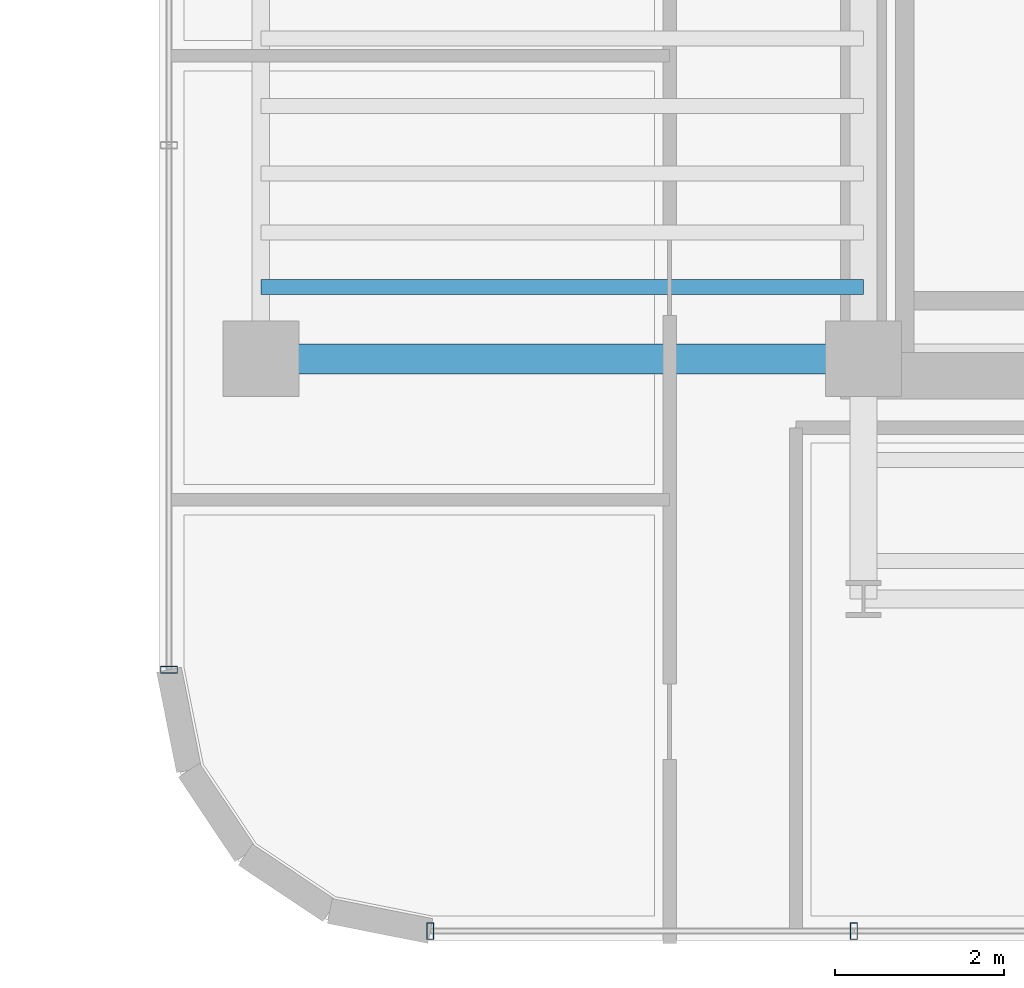
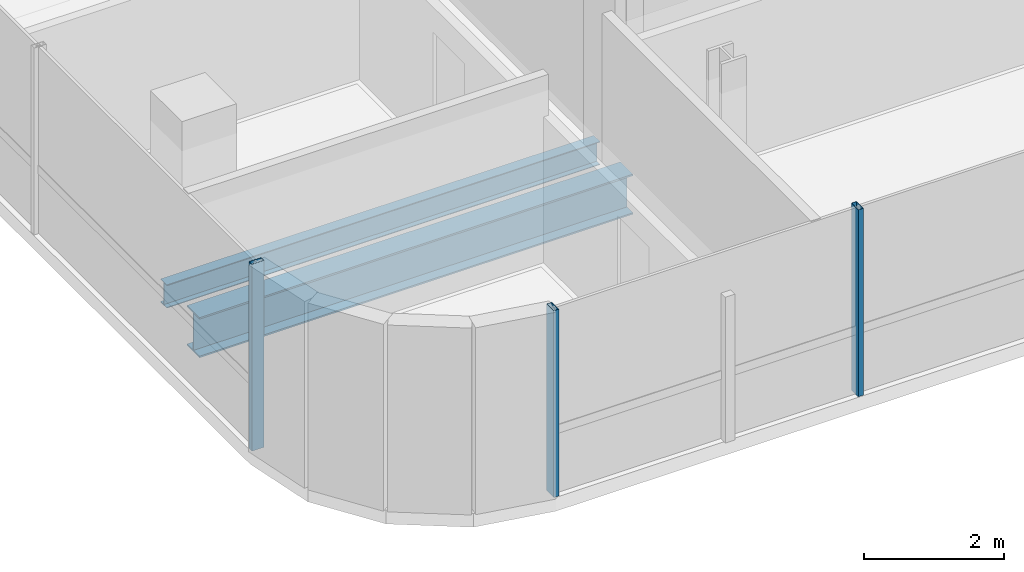
# One storey, part 2 of 21: 3 members, 2 beams, 2 elements without a shape of their own.
"""IFC4 building model written with IfcOpenShell, lengths in metres."""

from ifc_helpers import new_model, si_unit, direction, frame, origin, origin_2d, place, context, subcontext, project, spatial, hollow_rectangle, i_section, extrude, source, transform, mapped, material, material_profile, profile_set, type_object, element, aggregate, save


model = new_model("IFC4")

# Units and contexts
model_context = context("Model", 3, precision=1e-05, world=origin(), true_north=direction((0.0, 1.0)))
body_context = subcontext(model_context, "Body", "Model", "MODEL_VIEW")
ifc_project = project(units=[si_unit("LENGTHUNIT", "METRE"), si_unit("AREAUNIT", "SQUARE_METRE"), si_unit("VOLUMEUNIT", "CUBIC_METRE"), si_unit("PLANEANGLEUNIT", "RADIAN"), si_unit("MASSUNIT", "GRAM", prefix="KILO")], contexts=[model_context])

# Site, building, storey
site_placement = place(None, origin())
site = spatial("IfcSite", under=ifc_project, at=site_placement, CompositionType="ELEMENT")
building_placement = place(site_placement, origin())
building = spatial("IfcBuilding", under=site, at=building_placement, Name="Valdorenza Pilgrim Sanctuary Tower", CompositionType="ELEMENT")
storey_placement = place(building_placement, frame((0.0, 0.0, 219.5)))
storey = spatial("IfcBuildingStorey", under=building, at=storey_placement, Name="L56", CompositionType="ELEMENT", Elevation=219.5)

# Beams
ifc_material_1 = material(Name="Steel ASTM A992 Grade 50", Category="steel")
ifc_material_profile_1 = material_profile(ifc_material_1, i_section(OverallWidth=0.35595703125, OverallDepth=0.700927734375, WebThickness=0.016845703125, FlangeThickness=0.02734375, at=origin_2d()), Name="W27X161")
ifc_profile_set_1 = profile_set([ifc_material_profile_1], Name="Steel ASTM A992 Grade 50")
beam_type_1 = type_object("IfcBeamType", Name="STR-BM-GRD-W27", PredefinedType="BEAM", material=ifc_profile_set_1)
shared_shape_1 = source(origin(), body_context, "Body", "SweptSolid", [
    extrude(i_section(OverallWidth=0.35595703125, OverallDepth=0.700927734375, WebThickness=0.016845703125, FlangeThickness=0.02734375, at=origin_2d()), origin(), (0.0, 0.0, 1.0), 7.150146484375),
])
beam_1_placement = place(storey_placement, frame((-29.800048828125, -10.60009765625, -0.590576171875), z_axis=(1.0, 0.0, 0.0), x_axis=(0.0, 1.0, 0.0)))
element("IfcBeam", 1, at=beam_1_placement, inside=storey, type_object=beam_type_1, Name="L56 Floor Girder WA-XW-S1", PredefinedType="BEAM", context=body_context, shape_type="MappedRepresentation", body=[
    mapped(shared_shape_1, transform((0.0, 0.0, 0.0), x_axis=(1.0, 0.0, 0.0), y_axis=(0.0, 1.0, 0.0), z_axis=(0.0, 0.0, 1.0), scale=1.0)),
])
ifc_material_profile_2 = material_profile(ifc_material_1, i_section(OverallWidth=0.177978515625, OverallDepth=0.406005859375, WebThickness=0.0078125, FlangeThickness=0.0126953125, at=origin_2d()), Name="W16X40")
ifc_profile_set_2 = profile_set([ifc_material_profile_2], Name="Steel ASTM A992 Grade 50")
beam_type_2 = type_object("IfcBeamType", Name="STR-BM-JST-W16", PredefinedType="JOIST", material=ifc_profile_set_2)
shared_shape_2 = source(origin(), body_context, "Body", "SweptSolid", [
    extrude(i_section(OverallWidth=0.177978515625, OverallDepth=0.406005859375, WebThickness=0.0078125, FlangeThickness=0.0126953125, at=origin_2d()), origin(), (0.0, 0.0, 1.0), 7.150146484375),
])
beam_2_placement = place(storey_placement, frame((-29.800048828125, -9.75, -0.443115234375), z_axis=(1.0, 0.0, 0.0), x_axis=(0.0, 1.0, 0.0)))
element("IfcBeam", 2, at=beam_2_placement, inside=storey, type_object=beam_type_2, Name="L56 Composite Floor Joist JST-WA-1", PredefinedType="JOIST", context=body_context, shape_type="MappedRepresentation", body=[
    mapped(shared_shape_2, transform((0.0, 0.0, 0.0), x_axis=(1.0, 0.0, 0.0), y_axis=(0.0, 1.0, 0.0), z_axis=(0.0, 0.0, 1.0), scale=1.0)),
])

# Curtain wall, member
ifc_material_2 = material(Name="Curtain-wall IGU glazing", Category="glass")
curtain_wall_type = type_object("IfcCurtainWallType", Name="CW-SYS-02", PredefinedType="NOTDEFINED", material=ifc_material_2)
curtain_wall_1_placement = place(storey_placement, origin())
curtain_wall_1 = element("IfcCurtainWall", 3, at=curtain_wall_1_placement, inside=storey, type_object=curtain_wall_type, Name="L56 Curtain Wall CW-L56-1-1S1", PredefinedType="NOTDEFINED")
ifc_material_3 = material(Name="Anodised aluminium AW-6060", Category="aluminium")
ifc_material_profile_3 = material_profile(ifc_material_3, hollow_rectangle(XDim=0.0849609375, YDim=0.199951171875, WallThickness=0.0048828125, at=origin_2d()), Name="ALU-M 200x85x5")
ifc_profile_set_3 = profile_set([ifc_material_profile_3], Name="Anodised aluminium AW-6060")
member_type = type_object("IfcMemberType", Name="CW-MUL-02", PredefinedType="MULLION", material=ifc_profile_set_3)
shared_shape_3 = source(origin(), body_context, "Body", "SweptSolid", [
    extrude(hollow_rectangle(XDim=0.0849609375, YDim=0.199951171875, WallThickness=0.0048828125, at=origin_2d()), origin(), (0.0, 0.0, 1.0), 3.260009765625),
])
member_1_placement = place(storey_placement, frame((-30.889892578125, -14.289306640625, 0.0), z_axis=(0.0, 0.0, 1.0), x_axis=(0.0, 1.0, 0.0)))
member_1 = element("IfcMember", 4, at=member_1_placement, type_object=member_type, Name="CW-L56-1-1S1 Mullion 1", PredefinedType="MULLION", context=body_context, shape_type="MappedRepresentation", body=[
    mapped(shared_shape_3, transform((0.0, 0.0, 0.0), x_axis=(1.0, 0.0, 0.0), y_axis=(0.0, 1.0, 0.0), z_axis=(0.0, 0.0, 1.0), scale=1.0)),
])
aggregate(curtain_wall_1, [member_1])

# Curtain wall, members
curtain_wall_2_placement = place(storey_placement, origin())
curtain_wall_2 = element("IfcCurtainWall", 5, at=curtain_wall_2_placement, inside=storey, type_object=curtain_wall_type, Name="L56 Curtain Wall CW-L56-1-26", PredefinedType="NOTDEFINED")
member_2_placement = place(storey_placement, frame((-22.76318359375, -17.389892578125, 0.0), z_axis=(0.0, 0.0, 1.0), x_axis=(-1.0, 0.0, 0.0)))
member_2 = element("IfcMember", 6, at=member_2_placement, type_object=member_type, Name="CW-L56-1-26 Mullion 3", PredefinedType="MULLION", context=body_context, shape_type="MappedRepresentation", body=[
    mapped(shared_shape_3, transform((0.0, 0.0, 0.0), x_axis=(1.0, 0.0, 0.0), y_axis=(0.0, 1.0, 0.0), z_axis=(0.0, 0.0, 1.0), scale=1.0)),
])
member_3_placement = place(storey_placement, frame((-27.789306640625, -17.389892578125, 0.0), z_axis=(0.0, 0.0, 1.0), x_axis=(-1.0, 0.0, 0.0)))
member_3 = element("IfcMember", 7, at=member_3_placement, type_object=member_type, Name="CW-L56-1-26 Mullion 4", PredefinedType="MULLION", context=body_context, shape_type="MappedRepresentation", body=[
    mapped(shared_shape_3, transform((0.0, 0.0, 0.0), x_axis=(1.0, 0.0, 0.0), y_axis=(0.0, 1.0, 0.0), z_axis=(0.0, 0.0, 1.0), scale=1.0)),
])
aggregate(curtain_wall_2, [member_2, member_3])

save(model, "model.ifc")
